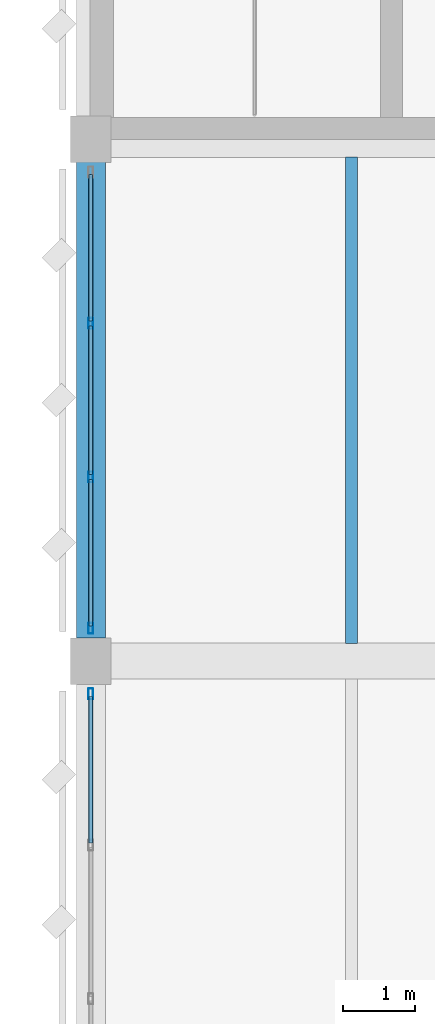
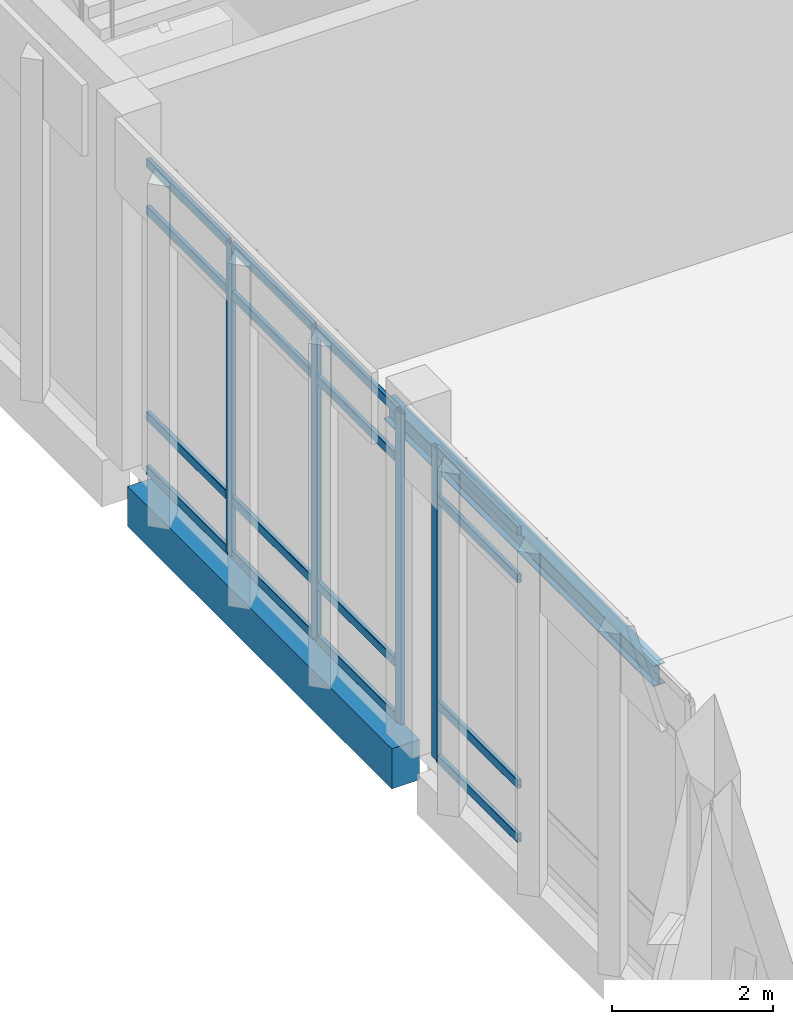
# One storey, part 65 of 180: 20 members, 2 beams, 2 elements without a shape of their own.
"""IFC4 building model written with IfcOpenShell, lengths in metres."""

import ifcopenshell
import ifcopenshell.guid

model = None  # the IFC model being written
_history = None  # IfcOwnerHistory: only IFC2X3 demands one
_inside = {}  # id of a spatial element -> (the spatial element, [elements in it])
_under = {}  # id of a project, library or spatial element -> (it, [spatial elements below it])
_declared = {}  # id of a project -> (the project, [libraries it declares])
_typed = {}  # id of a type object -> (the type object, [elements of that type])
_made_of = {}  # id of a material, layer set ... -> (it, [elements and type objects made of it])


def new_model(schema):
    """Start an empty IFC model of exactly this schema.

    Asked for "IFC4X3", IfcOpenShell would pick the latest addendum, in which some entities
    have other attributes; the version numbers below select the first issue.
    IFC2X3 requires an IfcOwnerHistory on every rooted entity: one is made here for all.
    """
    global model, _history
    if schema == "IFC4X3":
        model = ifcopenshell.file(schema_version=(4, 3, 0, 0))
    else:
        model = ifcopenshell.file(schema=schema)
    _inside.clear()
    _under.clear()
    _declared.clear()
    _typed.clear()
    _made_of.clear()
    _history = None
    if model.schema == "IFC2X3":
        org = make("IfcOrganization", Name="unknown")
        user = make(
            "IfcPersonAndOrganization",
            ThePerson=make("IfcPerson", FamilyName="unknown"),
            TheOrganization=org,
        )
        app = make(
            "IfcApplication",
            ApplicationDeveloper=org,
            Version="unknown",
            ApplicationFullName="unknown",
            ApplicationIdentifier="unknown",
        )
        _history = make(
            "IfcOwnerHistory",
            OwningUser=user,
            OwningApplication=app,
            ChangeAction="ADDED",
            CreationDate=0,
        )
    return model


def make(cls, **values):
    """One entity of the class cls with the attributes given. An attribute that is None is left unset."""
    return model.create_entity(
        cls, **{name: value for name, value in values.items() if value is not None}
    )


def rooted(cls, **values):
    """An entity with a GlobalId (a new one), such as an element, a storey or a relation."""
    return make(cls, GlobalId=ifcopenshell.guid.new(), OwnerHistory=_history, **values)


def si_unit(unit_type, name, prefix=None):
    """IfcSIUnit, for example si_unit("LENGTHUNIT", "METRE", prefix="MILLI")."""
    return make("IfcSIUnit", UnitType=unit_type, Prefix=prefix, Name=name)


def assignment(units):
    """IfcUnitAssignment: the units of a project."""
    return None if units is None else make("IfcUnitAssignment", Units=units)


def point(xyz):
    """IfcCartesianPoint."""
    return None if xyz is None else make("IfcCartesianPoint", Coordinates=xyz)


def direction(xyz):
    """IfcDirection."""
    return None if xyz is None else make("IfcDirection", DirectionRatios=xyz)


def frame(location, z_axis=None, x_axis=None):
    """IfcAxis2Placement3D, a coordinate frame: its origin and axes. An axis left out is left unset."""
    return make(
        "IfcAxis2Placement3D",
        Location=point(location),
        Axis=direction(z_axis),
        RefDirection=direction(x_axis),
    )


def frame_2d(location, x_axis=None):
    """IfcAxis2Placement2D, a coordinate frame in the plane: its origin and x axis."""
    return make(
        "IfcAxis2Placement2D", Location=point(location), RefDirection=direction(x_axis)
    )


def origin():
    """The frame at (0, 0, 0) with its axes left unset."""
    return frame((0.0, 0.0, 0.0))


def origin_2d():
    """The frame at (0, 0) in the plane with its x axis left unset."""
    return frame_2d((0.0, 0.0))


def place(relative_to, where):
    """IfcLocalPlacement: puts the frame where relative to a parent placement (None: the world)."""
    return make(
        "IfcLocalPlacement", PlacementRelTo=relative_to, RelativePlacement=where
    )


def context(
    kind, dimensions, precision=None, world=None, true_north=None, identifier=None
):
    """IfcGeometricRepresentationContext, for example the 3D "Model" context."""
    return make(
        "IfcGeometricRepresentationContext",
        ContextIdentifier=identifier,
        ContextType=kind,
        CoordinateSpaceDimension=dimensions,
        Precision=precision,
        WorldCoordinateSystem=world,
        TrueNorth=true_north,
    )


def subcontext(parent, identifier, kind, view, scale=None):
    """IfcGeometricRepresentationSubContext, for example "Body" below "Model"."""
    return make(
        "IfcGeometricRepresentationSubContext",
        ContextIdentifier=identifier,
        ContextType=kind,
        ParentContext=parent,
        TargetScale=scale,
        TargetView=view,
    )


def project(units=None, contexts=None):
    """IfcProject with its units and contexts."""
    return rooted(
        "IfcProject",
        Name="project",
        RepresentationContexts=contexts,
        UnitsInContext=assignment(units),
    )


def spatial(cls, under=None, at=None, **own):
    """A site, building, storey or space (cls), placed at a placement, below another one or the project."""
    s = rooted(cls, ObjectPlacement=at, **own)
    if under is not None:
        _under.setdefault(under.id(), (under, []))[1].append(s)
    return s


def profile(cls, at=None, kind="AREA", **sizes):
    """A parametric profile (cls). Its sizes go by their IFC names, for example OverallWidth=200.0."""
    return make(cls, ProfileType=kind, Position=at, **sizes)


def rectangle(**sizes):
    """IfcRectangleProfileDef."""
    return profile("IfcRectangleProfileDef", **sizes)


def hollow_rectangle(**sizes):
    """IfcRectangleHollowProfileDef."""
    return profile("IfcRectangleHollowProfileDef", **sizes)


def i_section(**sizes):
    """IfcIShapeProfileDef."""
    return profile("IfcIShapeProfileDef", **sizes)


def extrude(swept, where, along, depth):
    """IfcExtrudedAreaSolid: the profile swept, set in the frame where, extruded along a direction by depth."""
    return make(
        "IfcExtrudedAreaSolid",
        SweptArea=swept,
        Position=where,
        ExtrudedDirection=direction(along),
        Depth=depth,
    )


def shape(context_of_items, identifier, shape_type, items):
    """IfcShapeRepresentation: the items that make up one representation, for example the "Body"."""
    return make(
        "IfcShapeRepresentation",
        ContextOfItems=context_of_items,
        RepresentationIdentifier=identifier,
        RepresentationType=shape_type,
        Items=items,
    )


def material(Name=None, Category=None):
    """IfcMaterial."""
    return make("IfcMaterial", Name=Name, Category=Category)


def material_profile(
    of_material, cross_section, Name=None, Category=None, Priority=None
):
    """IfcMaterialProfile: a cross section and its material."""
    return make(
        "IfcMaterialProfile",
        Name=Name,
        Material=of_material,
        Profile=cross_section,
        Priority=Priority,
        Category=Category,
    )


def profile_set(profiles, Name=None, composite=None):
    """IfcMaterialProfileSet."""
    return make(
        "IfcMaterialProfileSet",
        Name=Name,
        MaterialProfiles=profiles,
        CompositeProfile=composite,
    )


def made_of(thing, what):
    """Note that an element or type object is made of a material, layer set ...; save() writes the relation."""
    if what is not None:
        _made_of.setdefault(what.id(), (what, []))[1].append(thing)
    return thing


def type_object(cls, material=None, **own):
    """A type object (cls), such as IfcWallType, which elements share."""
    return made_of(rooted(cls, **own), material)


def element(
    cls,
    number,
    at=None,
    inside=None,
    cuts=None,
    type_object=None,
    material=None,
    context=None,
    identifier="Body",
    shape_type=None,
    held_by="IfcProductDefinitionShape",
    body=None,
    shapes=None,
    **own,
):
    """One element of the class cls, such as IfcWall. Its Tag is "e" and its number.

    at: its placement. inside: the storey or other place that contains it. cuts: it is an
    opening in that element (IfcRelVoidsElement). A single representation is given by context,
    identifier, shape_type and body (its items); several are given by shapes. held_by: the class
    of the entity that holds the representations. save() writes the other relations.
    """
    e = rooted(cls, Tag="e%d" % number, ObjectPlacement=at, **own)
    if body is not None:
        shapes = [shape(context, identifier, shape_type, body)]
    if shapes is not None:
        e.Representation = make(held_by, Representations=shapes)
    if inside is not None:
        _inside.setdefault(inside.id(), (inside, []))[1].append(e)
    if cuts is not None:
        rooted(
            "IfcRelVoidsElement", RelatingBuildingElement=cuts, RelatedOpeningElement=e
        )
    if type_object is not None:
        _typed.setdefault(type_object.id(), (type_object, []))[1].append(e)
    return made_of(e, material)


def aggregate(whole, parts):
    """IfcRelAggregates: a whole, such as a stair, and the parts it consists of."""
    return rooted("IfcRelAggregates", RelatingObject=whole, RelatedObjects=parts)


def save(model, path):
    """Write the relations noted so far, then the file.

    IfcRelAggregates (storeys below a building ...), IfcRelContainedInSpatialStructure (elements
    in a storey), IfcRelDefinesByType, IfcRelAssociatesMaterial and IfcRelDeclares: one each for
    every whole, place, type object, material and project.
    """
    for whole, parts in _under.values():
        aggregate(whole, parts)
    for where, things in _inside.values():
        rooted(
            "IfcRelContainedInSpatialStructure",
            RelatedElements=things,
            RelatingStructure=where,
        )
    for kind, things in _typed.values():
        rooted("IfcRelDefinesByType", RelatedObjects=things, RelatingType=kind)
    for what, things in _made_of.values():
        rooted("IfcRelAssociatesMaterial", RelatedObjects=things, RelatingMaterial=what)
    for by, libraries in _declared.values():
        rooted("IfcRelDeclares", RelatingContext=by, RelatedDefinitions=libraries)
    model.write(path)


model = new_model("IFC4")

# Units and contexts
model_context = context("Model", 3, precision=1e-05, world=origin(), true_north=direction((0.0, 1.0)))
body_context = subcontext(model_context, "Body", "Model", "MODEL_VIEW")
ifc_project = project(units=[si_unit("LENGTHUNIT", "METRE"), si_unit("AREAUNIT", "SQUARE_METRE"), si_unit("VOLUMEUNIT", "CUBIC_METRE"), si_unit("PLANEANGLEUNIT", "RADIAN"), si_unit("MASSUNIT", "GRAM", prefix="KILO")], contexts=[model_context])

# Site, building, storey
site_placement = place(None, origin())
site = spatial("IfcSite", under=ifc_project, at=site_placement, CompositionType="ELEMENT")
building_placement = place(site_placement, origin())
building = spatial("IfcBuilding", under=site, at=building_placement, Name="Lusvemor Sports Hall", CompositionType="ELEMENT")
storey_placement = place(building_placement, frame((0.0, 0.0, 5.39990234375)))
storey = spatial("IfcBuildingStorey", under=building, at=storey_placement, Name="L01", CompositionType="ELEMENT", Elevation=5.39990234375)

# Curtain wall, member
ifc_material_1 = material(Name="Thermally broken bronze-anodized aluminium", Category="aluminium")
curtain_wall_type = type_object("IfcCurtainWallType", Name="CW_WING_B", PredefinedType="NOTDEFINED", material=ifc_material_1)
curtain_wall_1_placement = place(storey_placement, origin())
curtain_wall_1 = element("IfcCurtainWall", 1, at=curtain_wall_1_placement, inside=storey, type_object=curtain_wall_type, Name="Curtain Wall CW-L01-W-0-6", PredefinedType="NOTDEFINED")
ifc_material_2 = material(Name="Thermally broken bronze-anodized aluminium", Category="aluminium")
ifc_material_profile_1 = material_profile(ifc_material_2, hollow_rectangle(XDim=0.06494140625, YDim=0.14990234375, WallThickness=0.00390625, InnerFilletRadius=0.00390625, OuterFilletRadius=0.008056640625, at=origin_2d()), Name="CWMUL150x65x4")
ifc_profile_set_1 = profile_set([ifc_material_profile_1], Name="Thermally broken bronze-anodized aluminium")
member_type_1 = type_object("IfcMemberType", Name="CW_MUL_B", PredefinedType="MULLION", material=ifc_profile_set_1)
member_1_placement = place(storey_placement, frame((0.0, 96.74755859375, 0.0), z_axis=(0.0, 0.0, 1.0), x_axis=(-1.0, 0.0, 0.0)))
member_1 = element("IfcMember", 2, at=member_1_placement, type_object=member_type_1, Name="CW02 mullion 4", PredefinedType="MULLION", context=body_context, shape_type="SweptSolid", body=[
    extrude(hollow_rectangle(XDim=0.06494140625, YDim=0.14990234375, WallThickness=0.00390625, InnerFilletRadius=0.00390625, OuterFilletRadius=0.008056640625, at=origin_2d()), origin(), (0.0, 0.0, 1.0), 4.72021484375),
])

# Curtain wall, members
curtain_wall_2_placement = place(storey_placement, origin())
curtain_wall_2 = element("IfcCurtainWall", 3, at=curtain_wall_2_placement, inside=storey, type_object=curtain_wall_type, Name="Curtain Wall CW-L01-W-0-7", PredefinedType="NOTDEFINED")
member_2_placement = place(storey_placement, frame((0.0, 97.652587890625, 0.0), z_axis=(0.0, 0.0, 1.0), x_axis=(-1.0, 0.0, 0.0)))
member_2 = element("IfcMember", 4, at=member_2_placement, type_object=member_type_1, Name="CW02 mullion 1", PredefinedType="MULLION", context=body_context, shape_type="SweptSolid", body=[
    extrude(hollow_rectangle(XDim=0.06494140625, YDim=0.14990234375, WallThickness=0.00390625, InnerFilletRadius=0.00390625, OuterFilletRadius=0.008056640625, at=origin_2d()), origin(), (0.0, 0.0, 1.0), 4.72021484375),
])
member_3_placement = place(storey_placement, frame((0.0, 99.739990234375, 0.0), z_axis=(0.0, 0.0, 1.0), x_axis=(-1.0, 0.0, 0.0)))
member_3 = element("IfcMember", 5, at=member_3_placement, type_object=member_type_1, Name="CW02 mullion 2", PredefinedType="MULLION", context=body_context, shape_type="SweptSolid", body=[
    extrude(hollow_rectangle(XDim=0.06494140625, YDim=0.14990234375, WallThickness=0.00390625, InnerFilletRadius=0.00390625, OuterFilletRadius=0.008056640625, at=origin_2d()), origin(), (0.0, 0.0, 1.0), 4.72021484375),
])
member_4_placement = place(storey_placement, frame((0.0, 101.860107421875, 0.0), z_axis=(0.0, 0.0, 1.0), x_axis=(-1.0, 0.0, 0.0)))
member_4 = element("IfcMember", 6, at=member_4_placement, type_object=member_type_1, Name="CW02 mullion 3", PredefinedType="MULLION", context=body_context, shape_type="SweptSolid", body=[
    extrude(hollow_rectangle(XDim=0.06494140625, YDim=0.14990234375, WallThickness=0.00390625, InnerFilletRadius=0.00390625, OuterFilletRadius=0.008056640625, at=origin_2d()), origin(), (0.0, 0.0, 1.0), 4.72021484375),
])

# Member
ifc_material_3 = material(Name="Thermally broken bronze-anodized aluminium", Category="aluminium")
ifc_material_profile_2 = material_profile(ifc_material_3, hollow_rectangle(XDim=0.06005859375, YDim=0.135009765625, WallThickness=0.00390625, InnerFilletRadius=0.00390625, OuterFilletRadius=0.008056640625, at=origin_2d()), Name="CWTRN135x60x4")
ifc_profile_set_2 = profile_set([ifc_material_profile_2], Name="Thermally broken bronze-anodized aluminium")
member_type_2 = type_object("IfcMemberType", Name="CW_TRN_B", PredefinedType="USERDEFINED", material=ifc_profile_set_2)
member_5_placement = place(storey_placement, frame((0.0, 94.6923828125, 0.030029296875), z_axis=(0.0, 1.0, 0.0), x_axis=(-1.0, 0.0, 0.0)))
member_5 = element("IfcMember", 7, at=member_5_placement, type_object=member_type_2, Name="CW02 transom 3.1", ObjectType="TRANSOM", PredefinedType="USERDEFINED", context=body_context, shape_type="SweptSolid", body=[
    extrude(hollow_rectangle(XDim=0.06005859375, YDim=0.135009765625, WallThickness=0.00390625, InnerFilletRadius=0.00390625, OuterFilletRadius=0.008056640625, at=origin_2d()), origin(), (0.0, 0.0, 1.0), 2.022705078125),
])

member_6_placement = place(storey_placement, frame((0.0, 94.6923828125, 0.85009765625), z_axis=(0.0, 1.0, 0.0), x_axis=(-1.0, 0.0, 0.0)))
member_6 = element("IfcMember", 8, at=member_6_placement, type_object=member_type_2, Name="CW02 transom 3.2", ObjectType="TRANSOM", PredefinedType="USERDEFINED", context=body_context, shape_type="SweptSolid", body=[
    extrude(hollow_rectangle(XDim=0.06005859375, YDim=0.135009765625, WallThickness=0.00390625, InnerFilletRadius=0.00390625, OuterFilletRadius=0.008056640625, at=origin_2d()), origin(), (0.0, 0.0, 1.0), 2.022705078125),
])

member_7_placement = place(storey_placement, frame((0.0, 94.6923828125, 3.97021484375), z_axis=(0.0, 1.0, 0.0), x_axis=(-1.0, 0.0, 0.0)))
member_7 = element("IfcMember", 9, at=member_7_placement, type_object=member_type_2, Name="CW02 transom 3.3", ObjectType="TRANSOM", PredefinedType="USERDEFINED", context=body_context, shape_type="SweptSolid", body=[
    extrude(hollow_rectangle(XDim=0.06005859375, YDim=0.135009765625, WallThickness=0.00390625, InnerFilletRadius=0.00390625, OuterFilletRadius=0.008056640625, at=origin_2d()), origin(), (0.0, 0.0, 1.0), 2.022705078125),
])

member_8_placement = place(storey_placement, frame((0.0, 94.6923828125, 4.690185546875), z_axis=(0.0, 1.0, 0.0), x_axis=(-1.0, 0.0, 0.0)))
member_8 = element("IfcMember", 10, at=member_8_placement, type_object=member_type_2, Name="CW02 transom 3.4", ObjectType="TRANSOM", PredefinedType="USERDEFINED", context=body_context, shape_type="SweptSolid", body=[
    extrude(hollow_rectangle(XDim=0.06005859375, YDim=0.135009765625, WallThickness=0.00390625, InnerFilletRadius=0.00390625, OuterFilletRadius=0.008056640625, at=origin_2d()), origin(), (0.0, 0.0, 1.0), 2.022705078125),
])

aggregate(curtain_wall_1, [member_1, member_5, member_6, member_7, member_8])

member_9_placement = place(storey_placement, frame((0.0, 97.68505859375, 0.030029296875), z_axis=(0.0, 1.0, 0.0), x_axis=(-1.0, 0.0, 0.0)))
member_9 = element("IfcMember", 11, at=member_9_placement, type_object=member_type_2, Name="CW02 transom 1.1", ObjectType="TRANSOM", PredefinedType="USERDEFINED", context=body_context, shape_type="SweptSolid", body=[
    extrude(hollow_rectangle(XDim=0.06005859375, YDim=0.135009765625, WallThickness=0.00390625, InnerFilletRadius=0.00390625, OuterFilletRadius=0.008056640625, at=origin_2d()), origin(), (0.0, 0.0, 1.0), 2.0224609375),
])

member_10_placement = place(storey_placement, frame((0.0, 97.68505859375, 0.85009765625), z_axis=(0.0, 1.0, 0.0), x_axis=(-1.0, 0.0, 0.0)))
member_10 = element("IfcMember", 12, at=member_10_placement, type_object=member_type_2, Name="CW02 transom 1.2", ObjectType="TRANSOM", PredefinedType="USERDEFINED", context=body_context, shape_type="SweptSolid", body=[
    extrude(hollow_rectangle(XDim=0.06005859375, YDim=0.135009765625, WallThickness=0.00390625, InnerFilletRadius=0.00390625, OuterFilletRadius=0.008056640625, at=origin_2d()), origin(), (0.0, 0.0, 1.0), 2.0224609375),
])

member_11_placement = place(storey_placement, frame((0.0, 97.68505859375, 3.97021484375), z_axis=(0.0, 1.0, 0.0), x_axis=(-1.0, 0.0, 0.0)))
member_11 = element("IfcMember", 13, at=member_11_placement, type_object=member_type_2, Name="CW02 transom 1.3", ObjectType="TRANSOM", PredefinedType="USERDEFINED", context=body_context, shape_type="SweptSolid", body=[
    extrude(hollow_rectangle(XDim=0.06005859375, YDim=0.135009765625, WallThickness=0.00390625, InnerFilletRadius=0.00390625, OuterFilletRadius=0.008056640625, at=origin_2d()), origin(), (0.0, 0.0, 1.0), 2.0224609375),
])

member_12_placement = place(storey_placement, frame((0.0, 97.68505859375, 4.690185546875), z_axis=(0.0, 1.0, 0.0), x_axis=(-1.0, 0.0, 0.0)))
member_12 = element("IfcMember", 14, at=member_12_placement, type_object=member_type_2, Name="CW02 transom 1.4", ObjectType="TRANSOM", PredefinedType="USERDEFINED", context=body_context, shape_type="SweptSolid", body=[
    extrude(hollow_rectangle(XDim=0.06005859375, YDim=0.135009765625, WallThickness=0.00390625, InnerFilletRadius=0.00390625, OuterFilletRadius=0.008056640625, at=origin_2d()), origin(), (0.0, 0.0, 1.0), 2.0224609375),
])

member_13_placement = place(storey_placement, frame((0.0, 99.7724609375, 0.030029296875), z_axis=(0.0, 1.0, 0.0), x_axis=(-1.0, 0.0, 0.0)))
member_13 = element("IfcMember", 15, at=member_13_placement, type_object=member_type_2, Name="CW02 transom 2.1", ObjectType="TRANSOM", PredefinedType="USERDEFINED", context=body_context, shape_type="SweptSolid", body=[
    extrude(hollow_rectangle(XDim=0.06005859375, YDim=0.135009765625, WallThickness=0.00390625, InnerFilletRadius=0.00390625, OuterFilletRadius=0.008056640625, at=origin_2d()), origin(), (0.0, 0.0, 1.0), 2.054931640625),
])

member_14_placement = place(storey_placement, frame((0.0, 99.7724609375, 0.85009765625), z_axis=(0.0, 1.0, 0.0), x_axis=(-1.0, 0.0, 0.0)))
member_14 = element("IfcMember", 16, at=member_14_placement, type_object=member_type_2, Name="CW02 transom 2.2", ObjectType="TRANSOM", PredefinedType="USERDEFINED", context=body_context, shape_type="SweptSolid", body=[
    extrude(hollow_rectangle(XDim=0.06005859375, YDim=0.135009765625, WallThickness=0.00390625, InnerFilletRadius=0.00390625, OuterFilletRadius=0.008056640625, at=origin_2d()), origin(), (0.0, 0.0, 1.0), 2.054931640625),
])

member_15_placement = place(storey_placement, frame((0.0, 99.7724609375, 3.97021484375), z_axis=(0.0, 1.0, 0.0), x_axis=(-1.0, 0.0, 0.0)))
member_15 = element("IfcMember", 17, at=member_15_placement, type_object=member_type_2, Name="CW02 transom 2.3", ObjectType="TRANSOM", PredefinedType="USERDEFINED", context=body_context, shape_type="SweptSolid", body=[
    extrude(hollow_rectangle(XDim=0.06005859375, YDim=0.135009765625, WallThickness=0.00390625, InnerFilletRadius=0.00390625, OuterFilletRadius=0.008056640625, at=origin_2d()), origin(), (0.0, 0.0, 1.0), 2.054931640625),
])

member_16_placement = place(storey_placement, frame((0.0, 99.7724609375, 4.690185546875), z_axis=(0.0, 1.0, 0.0), x_axis=(-1.0, 0.0, 0.0)))
member_16 = element("IfcMember", 18, at=member_16_placement, type_object=member_type_2, Name="CW02 transom 2.4", ObjectType="TRANSOM", PredefinedType="USERDEFINED", context=body_context, shape_type="SweptSolid", body=[
    extrude(hollow_rectangle(XDim=0.06005859375, YDim=0.135009765625, WallThickness=0.00390625, InnerFilletRadius=0.00390625, OuterFilletRadius=0.008056640625, at=origin_2d()), origin(), (0.0, 0.0, 1.0), 2.054931640625),
])

member_17_placement = place(storey_placement, frame((0.0, 101.892578125, 0.030029296875), z_axis=(0.0, 1.0, 0.0), x_axis=(-1.0, 0.0, 0.0)))
member_17 = element("IfcMember", 19, at=member_17_placement, type_object=member_type_2, Name="CW02 transom 3.1", ObjectType="TRANSOM", PredefinedType="USERDEFINED", context=body_context, shape_type="SweptSolid", body=[
    extrude(hollow_rectangle(XDim=0.06005859375, YDim=0.135009765625, WallThickness=0.00390625, InnerFilletRadius=0.00390625, OuterFilletRadius=0.008056640625, at=origin_2d()), origin(), (0.0, 0.0, 1.0), 2.0224609375),
])

member_18_placement = place(storey_placement, frame((0.0, 101.892578125, 0.85009765625), z_axis=(0.0, 1.0, 0.0), x_axis=(-1.0, 0.0, 0.0)))
member_18 = element("IfcMember", 20, at=member_18_placement, type_object=member_type_2, Name="CW02 transom 3.2", ObjectType="TRANSOM", PredefinedType="USERDEFINED", context=body_context, shape_type="SweptSolid", body=[
    extrude(hollow_rectangle(XDim=0.06005859375, YDim=0.135009765625, WallThickness=0.00390625, InnerFilletRadius=0.00390625, OuterFilletRadius=0.008056640625, at=origin_2d()), origin(), (0.0, 0.0, 1.0), 2.0224609375),
])

member_19_placement = place(storey_placement, frame((0.0, 101.892578125, 3.97021484375), z_axis=(0.0, 1.0, 0.0), x_axis=(-1.0, 0.0, 0.0)))
member_19 = element("IfcMember", 21, at=member_19_placement, type_object=member_type_2, Name="CW02 transom 3.3", ObjectType="TRANSOM", PredefinedType="USERDEFINED", context=body_context, shape_type="SweptSolid", body=[
    extrude(hollow_rectangle(XDim=0.06005859375, YDim=0.135009765625, WallThickness=0.00390625, InnerFilletRadius=0.00390625, OuterFilletRadius=0.008056640625, at=origin_2d()), origin(), (0.0, 0.0, 1.0), 2.0224609375),
])

member_20_placement = place(storey_placement, frame((0.0, 101.892578125, 4.690185546875), z_axis=(0.0, 1.0, 0.0), x_axis=(-1.0, 0.0, 0.0)))
member_20 = element("IfcMember", 22, at=member_20_placement, type_object=member_type_2, Name="CW02 transom 3.4", ObjectType="TRANSOM", PredefinedType="USERDEFINED", context=body_context, shape_type="SweptSolid", body=[
    extrude(hollow_rectangle(XDim=0.06005859375, YDim=0.135009765625, WallThickness=0.00390625, InnerFilletRadius=0.00390625, OuterFilletRadius=0.008056640625, at=origin_2d()), origin(), (0.0, 0.0, 1.0), 2.0224609375),
])

aggregate(curtain_wall_2, [member_2, member_3, member_4, member_9, member_10, member_11, member_12, member_13, member_14, member_15, member_16, member_17, member_18, member_19, member_20])

# Beams
ifc_material_4 = material(Name="Steel S355", Category="steel")
ifc_material_profile_3 = material_profile(ifc_material_4, i_section(OverallWidth=0.1669921875, OverallDepth=0.31689453125, WebThickness=0.007568359375, FlangeThickness=0.01318359375, FilletRadius=0.014892578125, at=origin_2d()), Name="W310x52.0")
ifc_profile_set_3 = profile_set([ifc_material_profile_3], Name="Steel S355")
beam_type_1 = type_object("IfcBeamType", Name="JOIST_ST_310M", PredefinedType="JOIST", material=ifc_profile_set_3)
beam_1_placement = place(storey_placement, frame((3.60009765625, 97.446044921875, -0.42236328125), z_axis=(0.0, 1.0, 0.0), x_axis=(-1.0, 0.0, 0.0)))
element("IfcBeam", 23, at=beam_1_placement, inside=storey, type_object=beam_type_1, Name="Secondary Joist L01 1-2/N-P #1", PredefinedType="JOIST", context=body_context, shape_type="SweptSolid", body=[
    extrude(i_section(OverallWidth=0.1669921875, OverallDepth=0.31689453125, WebThickness=0.007568359375, FlangeThickness=0.01318359375, FilletRadius=0.014892578125, at=origin_2d()), origin(), (0.0, 0.0, 1.0), 6.7080078125),
])
ifc_material_5 = material(Name="Concrete C40/50", Category="concrete")
ifc_material_profile_4 = material_profile(ifc_material_5, rectangle(XDim=0.39990234375, YDim=0.610107421875, at=origin_2d()), Name="RC400x610")
ifc_profile_set_4 = profile_set([ifc_material_profile_4], Name="Concrete C40/50")
beam_type_2 = type_object("IfcBeamType", Name="SPAND_EXT_650", PredefinedType="SPANDREL", material=ifc_profile_set_4)
beam_2_placement = place(storey_placement, frame((0.0, 97.51611328125, -0.56494140625), z_axis=(0.0, 1.0, 0.0), x_axis=(-1.0, 0.0, 0.0)))
element("IfcBeam", 24, at=beam_2_placement, inside=storey, type_object=beam_type_2, Name="Beam L01 1:N-P", PredefinedType="SPANDREL", context=body_context, shape_type="SweptSolid", body=[
    extrude(rectangle(XDim=0.39990234375, YDim=0.610107421875, at=origin_2d()), origin(), (0.0, 0.0, 1.0), 6.56787109375),
])

save(model, "model.ifc")
